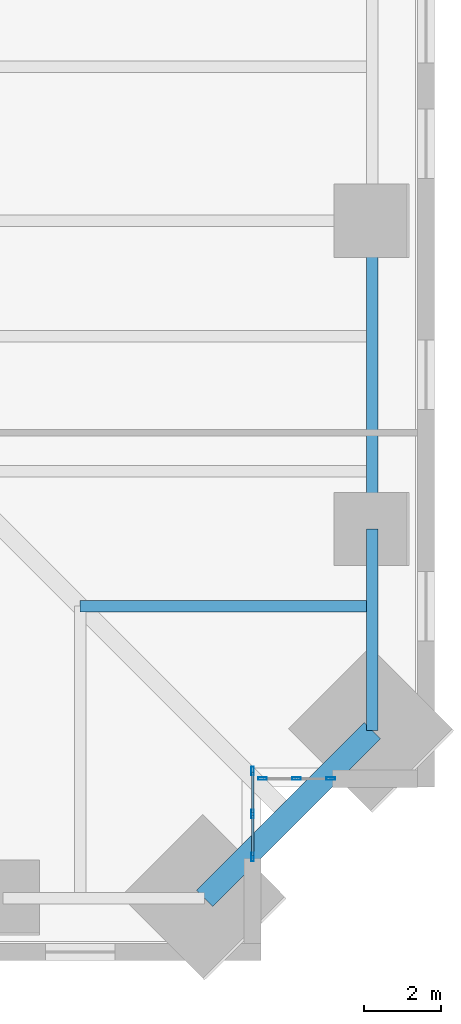
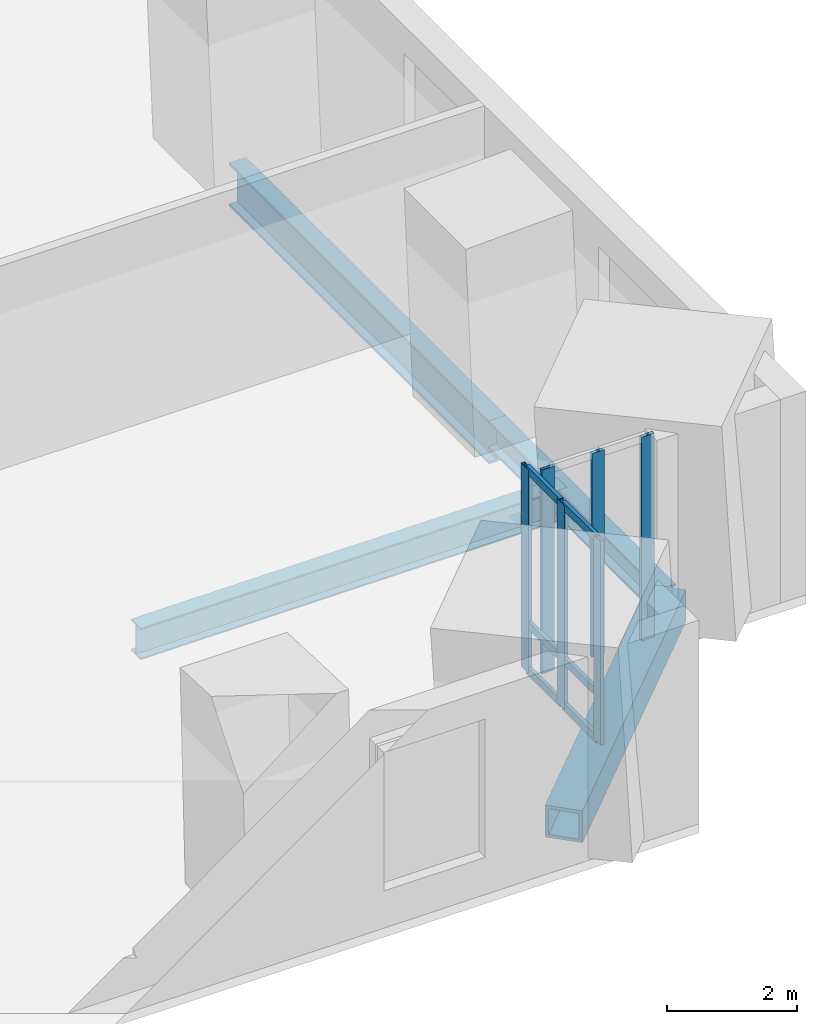
# One storey, part 4 of 16: 12 members, 4 beams, 2 elements without a shape of their own.
"""IFC4 building model written with IfcOpenShell, lengths in metres."""

from ifc_helpers import new_model, si_unit, direction, frame, origin, origin_2d, place, context, subcontext, project, spatial, hollow_rectangle, i_section, extrude, material, material_profile, profile_set, type_object, element, aggregate, save


model = new_model("IFC4")

# Units and contexts
model_context = context("Model", 3, precision=1e-05, world=origin(), true_north=direction((0.0, 1.0)))
body_context = subcontext(model_context, "Body", "Model", "MODEL_VIEW")
ifc_project = project(units=[si_unit("LENGTHUNIT", "METRE"), si_unit("AREAUNIT", "SQUARE_METRE"), si_unit("VOLUMEUNIT", "CUBIC_METRE"), si_unit("PLANEANGLEUNIT", "RADIAN"), si_unit("MASSUNIT", "GRAM", prefix="KILO")], contexts=[model_context])

# Site, building, storey
site_placement = place(None, origin())
site = spatial("IfcSite", under=ifc_project, at=site_placement, CompositionType="ELEMENT")
building_placement = place(site_placement, origin())
building = spatial("IfcBuilding", under=site, at=building_placement, Name="Peilmerk Tower", CompositionType="ELEMENT")
storey_placement = place(building_placement, frame((0.0, 0.0, 131.800048828125)))
storey = spatial("IfcBuildingStorey", under=building, at=storey_placement, Name="L26", CompositionType="ELEMENT", Elevation=131.800048828125)

# Beams
ifc_material_1 = material(Name="Steel S355", Category="steel")
ifc_material_profile_1 = material_profile(ifc_material_1, i_section(OverallWidth=0.302978515625, OverallDepth=0.81396484375, WebThickness=0.02099609375, FlangeThickness=0.0400390625, at=origin_2d()), Name="HEM 800")
ifc_profile_set_1 = profile_set([ifc_material_profile_1], Name="Steel S355")
beam_type_1 = type_object("IfcBeamType", Name="B15 HEM 800 edge beam", PredefinedType="SPANDREL", material=ifc_profile_set_1)
beam_1_placement = place(storey_placement, frame((25.582275390625, -16.0, -0.5771484375), z_axis=(0.0, 1.0, 0.0), x_axis=(-1.0, 0.0, 0.0)))
element("IfcBeam", 1, at=beam_1_placement, inside=storey, type_object=beam_type_1, Name="Edge beam L26", PredefinedType="SPANDREL", context=body_context, shape_type="SweptSolid", body=[
    extrude(i_section(OverallWidth=0.302978515625, OverallDepth=0.81396484375, WebThickness=0.02099609375, FlangeThickness=0.0400390625, at=origin_2d()), origin(), (0.0, 0.0, 1.0), 8.0),
])
ifc_material_2 = material(Name="Steel S460", Category="steel")
ifc_material_profile_2 = material_profile(ifc_material_2, hollow_rectangle(XDim=0.60009765625, YDim=0.60009765625, WallThickness=0.06005859375, at=origin_2d()), Name="BOX 600x600x60")
ifc_profile_set_2 = profile_set([ifc_material_profile_2], Name="Steel S460")
beam_type_2 = type_object("IfcBeamType", Name="B20 BOX 600x600x60 notch beam", PredefinedType="SPANDREL", material=ifc_profile_set_2)
beam_2_placement = place(storey_placement, frame((25.582275390625, -21.232177734375, -0.469970703125), z_axis=(-0.707106781187, -0.707106781187, 0.0), x_axis=(0.707106781187, -0.707106781187, 0.0)))
element("IfcBeam", 2, at=beam_2_placement, inside=storey, type_object=beam_type_2, Name="Notch beam L26", PredefinedType="SPANDREL", context=body_context, shape_type="SweptSolid", body=[
    extrude(hollow_rectangle(XDim=0.60009765625, YDim=0.60009765625, WallThickness=0.06005859375, at=origin_2d()), origin(), (0.0, 0.0, 1.0), 6.15185546875),
])
ifc_material_profile_3 = material_profile(ifc_material_1, i_section(OverallWidth=0.300048828125, OverallDepth=0.590087890625, WebThickness=0.012939453125, FlangeThickness=0.02490234375, at=origin_2d()), Name="HEA 600")
ifc_profile_set_3 = profile_set([ifc_material_profile_3], Name="Steel S355")
beam_type_3 = type_object("IfcBeamType", Name="B27 HEA 600 floor beam", PredefinedType="BEAM", material=ifc_profile_set_3)
beam_3_placement = place(storey_placement, frame((18.0, -18.0, -0.465087890625), z_axis=(1.0, 0.0, 0.0), x_axis=(0.0, 1.0, 0.0)))
element("IfcBeam", 3, at=beam_3_placement, inside=storey, type_object=beam_type_3, Name="Floor beam L26", PredefinedType="BEAM", context=body_context, shape_type="SweptSolid", body=[
    extrude(i_section(OverallWidth=0.300048828125, OverallDepth=0.590087890625, WebThickness=0.012939453125, FlangeThickness=0.02490234375, at=origin_2d()), origin(), (0.0, 0.0, 1.0), 7.582275390625),
])
ifc_material_profile_4 = material_profile(ifc_material_1, i_section(OverallWidth=0.305908203125, OverallDepth=0.52392578125, WebThickness=0.02099609375, FlangeThickness=0.0400390625, at=origin_2d()), Name="HEM 500")
ifc_profile_set_4 = profile_set([ifc_material_profile_4], Name="Steel S355")
beam_type_4 = type_object("IfcBeamType", Name="B33 HEM 500 edge beam", PredefinedType="SPANDREL", material=ifc_profile_set_4)
beam_4_placement = place(storey_placement, frame((25.582275390625, -21.232177734375, -0.43212890625), z_axis=(0.0, 1.0, 0.0), x_axis=(-1.0, 0.0, 0.0)))
element("IfcBeam", 4, at=beam_4_placement, inside=storey, type_object=beam_type_4, Name="Edge beam L26", PredefinedType="SPANDREL", context=body_context, shape_type="SweptSolid", body=[
    extrude(i_section(OverallWidth=0.305908203125, OverallDepth=0.52392578125, WebThickness=0.02099609375, FlangeThickness=0.0400390625, at=origin_2d()), origin(), (0.0, 0.0, 1.0), 5.232177734375),
])

# Curtain wall, members
ifc_material_3 = material(Name="Aluminium stick curtain wall", Category="aluminium")
curtain_wall_type = type_object("IfcCurtainWallType", Name="CW3 stick curtain wall, 2250 module", PredefinedType="NOTDEFINED", material=ifc_material_3)
curtain_wall_1_placement = place(storey_placement, origin())
curtain_wall_1 = element("IfcCurtainWall", 5, at=curtain_wall_1_placement, inside=storey, type_object=curtain_wall_type, Name="Curtain wall CW3 SEA L26", PredefinedType="NOTDEFINED")
ifc_material_4 = material(Name="Aluminium EN AW-6063 T6", Category="aluminium")
ifc_material_profile_5 = material_profile(ifc_material_4, hollow_rectangle(XDim=0.06494140625, YDim=0.22509765625, WallThickness=0.00390625, at=origin_2d()), Name="AL 225x65x4")
ifc_profile_set_5 = profile_set([ifc_material_profile_5], Name="Aluminium EN AW-6063 T6")
member_type_1 = type_object("IfcMemberType", Name="CW3-M AL 225x65x4 mullion", PredefinedType="MULLION", material=ifc_profile_set_5)
member_1_placement = place(storey_placement, frame((22.47509765625, -22.282470703125, 0.0), z_axis=(0.0, 0.0, 1.0), x_axis=(1.0, 0.0, 0.0)))
member_1 = element("IfcMember", 6, at=member_1_placement, type_object=member_type_1, Name="CW3 mullion 1", PredefinedType="MULLION", context=body_context, shape_type="SweptSolid", body=[
    extrude(hollow_rectangle(XDim=0.06494140625, YDim=0.22509765625, WallThickness=0.00390625, at=origin_2d()), origin(), (0.0, 0.0, 1.0), 3.829833984375),
])
member_2_placement = place(storey_placement, frame((22.47509765625, -23.394287109375, 0.0), z_axis=(0.0, 0.0, 1.0), x_axis=(1.0, 0.0, 0.0)))
member_2 = element("IfcMember", 7, at=member_2_placement, type_object=member_type_1, Name="CW3 mullion 2", PredefinedType="MULLION", context=body_context, shape_type="SweptSolid", body=[
    extrude(hollow_rectangle(XDim=0.06494140625, YDim=0.22509765625, WallThickness=0.00390625, at=origin_2d()), origin(), (0.0, 0.0, 1.0), 3.829833984375),
])
member_3_placement = place(storey_placement, frame((22.47509765625, -24.506103515625, 0.0), z_axis=(0.0, 0.0, 1.0), x_axis=(1.0, 0.0, 0.0)))
member_3 = element("IfcMember", 8, at=member_3_placement, type_object=member_type_1, Name="CW3 mullion 3", PredefinedType="MULLION", context=body_context, shape_type="SweptSolid", body=[
    extrude(hollow_rectangle(XDim=0.06494140625, YDim=0.22509765625, WallThickness=0.00390625, at=origin_2d()), origin(), (0.0, 0.0, 1.0), 3.829833984375),
])

curtain_wall_2_placement = place(storey_placement, origin())
curtain_wall_2 = element("IfcCurtainWall", 9, at=curtain_wall_2_placement, inside=storey, type_object=curtain_wall_type, Name="Curtain wall CW3 SEB L26", PredefinedType="NOTDEFINED")
member_4_placement = place(storey_placement, frame((22.732421875, -22.47509765625, 0.0), z_axis=(0.0, 0.0, 1.0), x_axis=(0.0, 1.0, 0.0)))
member_4 = element("IfcMember", 10, at=member_4_placement, type_object=member_type_1, Name="CW3 mullion 1", PredefinedType="MULLION", context=body_context, shape_type="SweptSolid", body=[
    extrude(hollow_rectangle(XDim=0.06494140625, YDim=0.22509765625, WallThickness=0.00390625, at=origin_2d()), origin(), (0.0, 0.0, 1.0), 3.829833984375),
])
member_5_placement = place(storey_placement, frame((23.619384765625, -22.47509765625, 0.0), z_axis=(0.0, 0.0, 1.0), x_axis=(0.0, 1.0, 0.0)))
member_5 = element("IfcMember", 11, at=member_5_placement, type_object=member_type_1, Name="CW3 mullion 2", PredefinedType="MULLION", context=body_context, shape_type="SweptSolid", body=[
    extrude(hollow_rectangle(XDim=0.06494140625, YDim=0.22509765625, WallThickness=0.00390625, at=origin_2d()), origin(), (0.0, 0.0, 1.0), 3.829833984375),
])
member_6_placement = place(storey_placement, frame((24.506103515625, -22.47509765625, 0.0), z_axis=(0.0, 0.0, 1.0), x_axis=(0.0, 1.0, 0.0)))
member_6 = element("IfcMember", 12, at=member_6_placement, type_object=member_type_1, Name="CW3 mullion 3", PredefinedType="MULLION", context=body_context, shape_type="SweptSolid", body=[
    extrude(hollow_rectangle(XDim=0.06494140625, YDim=0.22509765625, WallThickness=0.00390625, at=origin_2d()), origin(), (0.0, 0.0, 1.0), 3.829833984375),
])
aggregate(curtain_wall_2, [member_4, member_5, member_6])

# Member
ifc_material_profile_6 = material_profile(ifc_material_4, hollow_rectangle(XDim=0.06494140625, YDim=0.14990234375, WallThickness=0.0029296875, at=origin_2d()), Name="AL 150x65x3")
ifc_profile_set_6 = profile_set([ifc_material_profile_6], Name="Aluminium EN AW-6063 T6")
member_type_2 = type_object("IfcMemberType", Name="CW3-T AL 150x65x3 transom", PredefinedType="USERDEFINED", material=ifc_profile_set_6)
member_7_placement = place(storey_placement, frame((22.47509765625, -22.31494140625, 0.032470703125), z_axis=(0.0, -1.0, 0.0), x_axis=(1.0, 0.0, 0.0)))
member_7 = element("IfcMember", 13, at=member_7_placement, type_object=member_type_2, Name="CW3 transom 1.1", ObjectType="TRANSOM", PredefinedType="USERDEFINED", context=body_context, shape_type="SweptSolid", body=[
    extrude(hollow_rectangle(XDim=0.06494140625, YDim=0.14990234375, WallThickness=0.0029296875, at=origin_2d()), origin(), (0.0, 0.0, 1.0), 1.046875),
])

member_8_placement = place(storey_placement, frame((22.47509765625, -22.31494140625, 0.89990234375), z_axis=(0.0, -1.0, 0.0), x_axis=(1.0, 0.0, 0.0)))
member_8 = element("IfcMember", 14, at=member_8_placement, type_object=member_type_2, Name="CW3 transom 1.2", ObjectType="TRANSOM", PredefinedType="USERDEFINED", context=body_context, shape_type="SweptSolid", body=[
    extrude(hollow_rectangle(XDim=0.06494140625, YDim=0.14990234375, WallThickness=0.0029296875, at=origin_2d()), origin(), (0.0, 0.0, 1.0), 1.046875),
])

member_9_placement = place(storey_placement, frame((22.47509765625, -22.31494140625, 3.79736328125), z_axis=(0.0, -1.0, 0.0), x_axis=(1.0, 0.0, 0.0)))
member_9 = element("IfcMember", 15, at=member_9_placement, type_object=member_type_2, Name="CW3 transom 1.3", ObjectType="TRANSOM", PredefinedType="USERDEFINED", context=body_context, shape_type="SweptSolid", body=[
    extrude(hollow_rectangle(XDim=0.06494140625, YDim=0.14990234375, WallThickness=0.0029296875, at=origin_2d()), origin(), (0.0, 0.0, 1.0), 1.046875),
])

member_10_placement = place(storey_placement, frame((22.47509765625, -23.4267578125, 0.032470703125), z_axis=(0.0, -1.0, 0.0), x_axis=(1.0, 0.0, 0.0)))
member_10 = element("IfcMember", 16, at=member_10_placement, type_object=member_type_2, Name="CW3 transom 2.1", ObjectType="TRANSOM", PredefinedType="USERDEFINED", context=body_context, shape_type="SweptSolid", body=[
    extrude(hollow_rectangle(XDim=0.06494140625, YDim=0.14990234375, WallThickness=0.0029296875, at=origin_2d()), origin(), (0.0, 0.0, 1.0), 1.046875),
])

member_11_placement = place(storey_placement, frame((22.47509765625, -23.4267578125, 0.89990234375), z_axis=(0.0, -1.0, 0.0), x_axis=(1.0, 0.0, 0.0)))
member_11 = element("IfcMember", 17, at=member_11_placement, type_object=member_type_2, Name="CW3 transom 2.2", ObjectType="TRANSOM", PredefinedType="USERDEFINED", context=body_context, shape_type="SweptSolid", body=[
    extrude(hollow_rectangle(XDim=0.06494140625, YDim=0.14990234375, WallThickness=0.0029296875, at=origin_2d()), origin(), (0.0, 0.0, 1.0), 1.046875),
])

member_12_placement = place(storey_placement, frame((22.47509765625, -23.4267578125, 3.79736328125), z_axis=(0.0, -1.0, 0.0), x_axis=(1.0, 0.0, 0.0)))
member_12 = element("IfcMember", 18, at=member_12_placement, type_object=member_type_2, Name="CW3 transom 2.3", ObjectType="TRANSOM", PredefinedType="USERDEFINED", context=body_context, shape_type="SweptSolid", body=[
    extrude(hollow_rectangle(XDim=0.06494140625, YDim=0.14990234375, WallThickness=0.0029296875, at=origin_2d()), origin(), (0.0, 0.0, 1.0), 1.046875),
])

aggregate(curtain_wall_1, [member_1, member_2, member_3, member_7, member_8, member_9, member_10, member_11, member_12])

save(model, "model.ifc")
